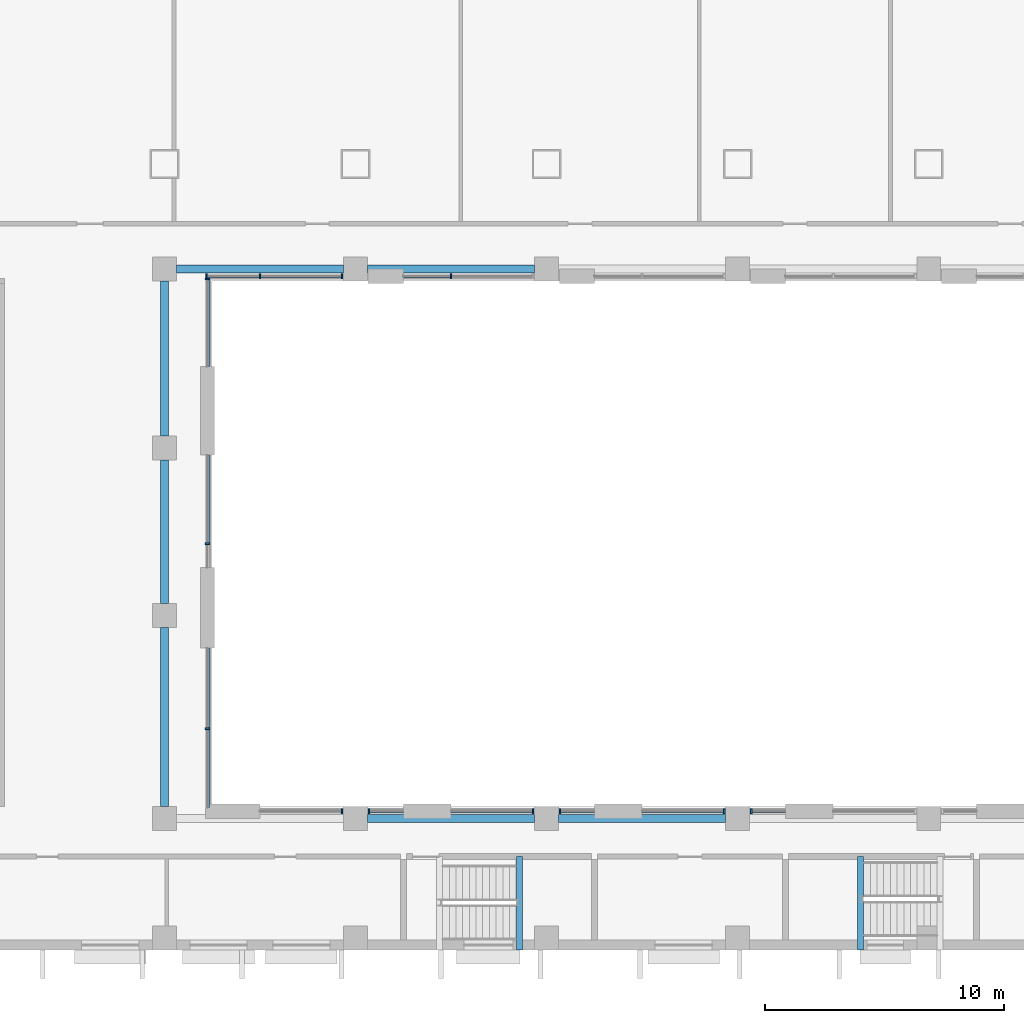
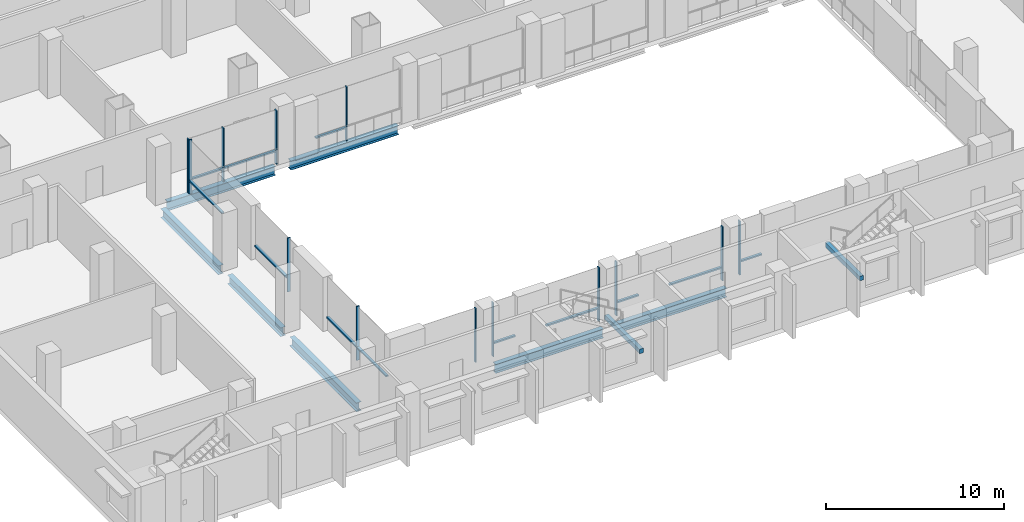
# One storey, part 2 of 25: 25 members, 9 beams, 11 elements without a shape of their own.
"""IFC4 building model written with IfcOpenShell, lengths in metres."""

from ifc_helpers import new_model, si_unit, direction, frame, origin, origin_2d, place, context, subcontext, project, spatial, rectangle, i_section, extrude, material, material_profile, profile_set, type_object, element, aggregate, save


model = new_model("IFC4")

# Units and contexts
model_context = context("Model", 3, precision=1e-05, world=origin(), true_north=direction((0.0, 1.0)))
body_context = subcontext(model_context, "Body", "Model", "MODEL_VIEW")
ifc_project = project(units=[si_unit("LENGTHUNIT", "METRE"), si_unit("AREAUNIT", "SQUARE_METRE"), si_unit("VOLUMEUNIT", "CUBIC_METRE"), si_unit("PLANEANGLEUNIT", "RADIAN"), si_unit("MASSUNIT", "GRAM", prefix="KILO")], contexts=[model_context])

# Site, building, storey
site_placement = place(None, origin())
site = spatial("IfcSite", under=ifc_project, at=site_placement, CompositionType="ELEMENT")
building_placement = place(site_placement, origin())
building = spatial("IfcBuilding", under=site, at=building_placement, Name="Vidyagriha Tower", CompositionType="ELEMENT")
storey_placement = place(building_placement, frame((0.0, 0.0, 10.0)))
storey = spatial("IfcBuildingStorey", under=building, at=storey_placement, Name="L02", CompositionType="ELEMENT", Elevation=10.0)

# Beams
ifc_material_1 = material(Name="Steel ASTM A992 Grade 50", Category="steel")
ifc_material_profile_1 = material_profile(ifc_material_1, i_section(OverallWidth=0.32373046875, OverallDepth=0.612060546875, WebThickness=0.0126953125, FlangeThickness=0.01904296875, at=origin_2d()), Name="W24X104")
ifc_profile_set_1 = profile_set([ifc_material_profile_1], Name="Steel ASTM A992 Grade 50")
beam_type_1 = type_object("IfcBeamType", Name="Atrium edge beam W24X104", PredefinedType="BEAM", material=ifc_profile_set_1)
for number, where, z_axis, x_axis, name in (
    (1, (-13.5, -44.5, -0.60595703125), (1.0, 0.0, 0.0), (0.0, 1.0, 0.0), "st-beam-L02-AT02"),
    (2, (-5.5, -44.5, -0.60595703125), (1.0, 0.0, 0.0), (0.0, 1.0, 0.0), "st-beam-L02-AT03"),
    (3, (-21.5, -21.5, -0.60595703125), (1.0, 0.0, 0.0), (0.0, 1.0, 0.0), "st-beam-L02-AT07"),
    (4, (-13.5, -21.5, -0.60595703125), (1.0, 0.0, 0.0), (0.0, 1.0, 0.0), "st-beam-L02-AT08"),
):
    element("IfcBeam", number, at=place(storey_placement, frame(where, z_axis=z_axis, x_axis=x_axis)), inside=storey, type_object=beam_type_1, Name=name, PredefinedType="BEAM", context=body_context, shape_type="SweptSolid", body=[
        extrude(i_section(OverallWidth=0.32373046875, OverallDepth=0.612060546875, WebThickness=0.0126953125, FlangeThickness=0.01904296875, at=origin_2d()), origin(), (0.0, 0.0, 1.0), 7.0),
    ])
beam_1_placement = place(storey_placement, frame((-22.0, -44.0, -0.60595703125), z_axis=(0.0, 1.0, 0.0), x_axis=(-1.0, 0.0, 0.0)))
element("IfcBeam", 5, at=beam_1_placement, inside=storey, type_object=beam_type_1, Name="st-beam-L02-AT13", PredefinedType="BEAM", context=body_context, shape_type="SweptSolid", body=[
    extrude(i_section(OverallWidth=0.32373046875, OverallDepth=0.612060546875, WebThickness=0.0126953125, FlangeThickness=0.01904296875, at=origin_2d()), origin(), (0.0, 0.0, 1.0), 7.5),
])
beam_2_placement = place(storey_placement, frame((-22.0, -35.5, -0.60595703125), z_axis=(0.0, 1.0, 0.0), x_axis=(-1.0, 0.0, 0.0)))
element("IfcBeam", 6, at=beam_2_placement, inside=storey, type_object=beam_type_1, Name="st-beam-L02-AT14", PredefinedType="BEAM", context=body_context, shape_type="SweptSolid", body=[
    extrude(i_section(OverallWidth=0.32373046875, OverallDepth=0.612060546875, WebThickness=0.0126953125, FlangeThickness=0.01904296875, at=origin_2d()), origin(), (0.0, 0.0, 1.0), 6.0),
])
beam_3_placement = place(storey_placement, frame((-22.0, -28.5, -0.60595703125), z_axis=(0.0, 1.0, 0.0), x_axis=(-1.0, 0.0, 0.0)))
element("IfcBeam", 7, at=beam_3_placement, inside=storey, type_object=beam_type_1, Name="st-beam-L02-AT15", PredefinedType="BEAM", context=body_context, shape_type="SweptSolid", body=[
    extrude(i_section(OverallWidth=0.32373046875, OverallDepth=0.612060546875, WebThickness=0.0126953125, FlangeThickness=0.01904296875, at=origin_2d()), origin(), (0.0, 0.0, 1.0), 6.5),
])

# Curtain wall, member
ifc_material_2 = material(Name="Aluminium and glass curtain wall", Category="aluminium")
curtain_wall_type = type_object("IfcCurtainWallType", Name="Atrium screen curtain wall", PredefinedType="USERDEFINED", material=ifc_material_2)
curtain_wall_1_placement = place(storey_placement, origin())
curtain_wall_1 = element("IfcCurtainWall", 8, at=curtain_wall_1_placement, inside=storey, type_object=curtain_wall_type, Name="CW6 atrium screen", ObjectType="UNITISED", PredefinedType="USERDEFINED")
ifc_material_3 = material(Name="Aluminium black anodised", Category="aluminium")
ifc_material_profile_2 = material_profile(ifc_material_3, rectangle(XDim=0.199951171875, YDim=0.070068359375, at=origin_2d()), Name="Mullion 70x200 black aluminium")
ifc_profile_set_2 = profile_set([ifc_material_profile_2], Name="Aluminium black anodised")
member_type_1 = type_object("IfcMemberType", Name="Mullion 70x200 black aluminium", PredefinedType="MULLION", material=ifc_profile_set_2)
member_1_placement = place(storey_placement, frame((2.56494140625, -44.199951171875, 0.0), z_axis=(0.0, 0.0, 1.0), x_axis=(0.0, -1.0, 0.0)))
member_1 = element("IfcMember", 9, at=member_1_placement, type_object=member_type_1, Name="CW6 mullion 2", PredefinedType="MULLION", context=body_context, shape_type="SweptSolid", body=[
    extrude(rectangle(XDim=0.199951171875, YDim=0.070068359375, at=origin_2d()), origin(), (0.0, 0.0, 1.0), 3.699951171875),
])

curtain_wall_2_placement = place(storey_placement, origin())
curtain_wall_2 = element("IfcCurtainWall", 10, at=curtain_wall_2_placement, inside=storey, type_object=curtain_wall_type, Name="CW6 atrium screen", ObjectType="UNITISED", PredefinedType="USERDEFINED")
member_2_placement = place(storey_placement, frame((1.43505859375, -44.199951171875, 0.0), z_axis=(0.0, 0.0, 1.0), x_axis=(0.0, -1.0, 0.0)))
member_2 = element("IfcMember", 11, at=member_2_placement, type_object=member_type_1, Name="CW6 mullion 1", PredefinedType="MULLION", context=body_context, shape_type="SweptSolid", body=[
    extrude(rectangle(XDim=0.199951171875, YDim=0.070068359375, at=origin_2d()), origin(), (0.0, 0.0, 1.0), 3.699951171875),
])

curtain_wall_3_placement = place(storey_placement, origin())
curtain_wall_3 = element("IfcCurtainWall", 12, at=curtain_wall_3_placement, inside=storey, type_object=curtain_wall_type, Name="CW6 atrium screen", ObjectType="UNITISED", PredefinedType="USERDEFINED")
member_3_placement = place(storey_placement, frame((-5.43505859375, -44.199951171875, 0.0), z_axis=(0.0, 0.0, 1.0), x_axis=(0.0, -1.0, 0.0)))
member_3 = element("IfcMember", 13, at=member_3_placement, type_object=member_type_1, Name="CW6 mullion 2", PredefinedType="MULLION", context=body_context, shape_type="SweptSolid", body=[
    extrude(rectangle(XDim=0.199951171875, YDim=0.070068359375, at=origin_2d()), origin(), (0.0, 0.0, 1.0), 3.699951171875),
])

curtain_wall_4_placement = place(storey_placement, origin())
curtain_wall_4 = element("IfcCurtainWall", 14, at=curtain_wall_4_placement, inside=storey, type_object=curtain_wall_type, Name="CW6 atrium screen", ObjectType="UNITISED", PredefinedType="USERDEFINED")
member_4_placement = place(storey_placement, frame((-6.56494140625, -44.199951171875, 0.0), z_axis=(0.0, 0.0, 1.0), x_axis=(0.0, -1.0, 0.0)))
member_4 = element("IfcMember", 15, at=member_4_placement, type_object=member_type_1, Name="CW6 mullion 1", PredefinedType="MULLION", context=body_context, shape_type="SweptSolid", body=[
    extrude(rectangle(XDim=0.199951171875, YDim=0.070068359375, at=origin_2d()), origin(), (0.0, 0.0, 1.0), 3.699951171875),
])

curtain_wall_5_placement = place(storey_placement, origin())
curtain_wall_5 = element("IfcCurtainWall", 16, at=curtain_wall_5_placement, inside=storey, type_object=curtain_wall_type, Name="CW6 atrium screen", ObjectType="UNITISED", PredefinedType="USERDEFINED")
member_5_placement = place(storey_placement, frame((-13.43505859375, -44.199951171875, 0.0), z_axis=(0.0, 0.0, 1.0), x_axis=(0.0, -1.0, 0.0)))
member_5 = element("IfcMember", 17, at=member_5_placement, type_object=member_type_1, Name="CW6 mullion 2", PredefinedType="MULLION", context=body_context, shape_type="SweptSolid", body=[
    extrude(rectangle(XDim=0.199951171875, YDim=0.070068359375, at=origin_2d()), origin(), (0.0, 0.0, 1.0), 3.699951171875),
])

curtain_wall_6_placement = place(storey_placement, origin())
curtain_wall_6 = element("IfcCurtainWall", 18, at=curtain_wall_6_placement, inside=storey, type_object=curtain_wall_type, Name="CW6 atrium screen", ObjectType="UNITISED", PredefinedType="USERDEFINED")
member_6_placement = place(storey_placement, frame((-14.56494140625, -44.199951171875, 0.0), z_axis=(0.0, 0.0, 1.0), x_axis=(0.0, -1.0, 0.0)))
member_6 = element("IfcMember", 19, at=member_6_placement, type_object=member_type_1, Name="CW6 mullion 1", PredefinedType="MULLION", context=body_context, shape_type="SweptSolid", body=[
    extrude(rectangle(XDim=0.199951171875, YDim=0.070068359375, at=origin_2d()), origin(), (0.0, 0.0, 1.0), 3.699951171875),
])
aggregate(curtain_wall_6, [member_6])

curtain_wall_7_placement = place(storey_placement, origin())
curtain_wall_7 = element("IfcCurtainWall", 20, at=curtain_wall_7_placement, inside=storey, type_object=curtain_wall_type, Name="CW6 atrium screen", ObjectType="UNITISED", PredefinedType="USERDEFINED")
member_7_placement = place(storey_placement, frame((-20.199951171875, -40.74658203125, 0.0), z_axis=(0.0, 0.0, 1.0), x_axis=(-1.0, 0.0, 0.0)))
member_7 = element("IfcMember", 21, at=member_7_placement, type_object=member_type_1, Name="CW6 mullion 2", PredefinedType="MULLION", context=body_context, shape_type="SweptSolid", body=[
    extrude(rectangle(XDim=0.199951171875, YDim=0.070068359375, at=origin_2d()), origin(), (0.0, 0.0, 1.0), 3.699951171875),
])

curtain_wall_8_placement = place(storey_placement, origin())
curtain_wall_8 = element("IfcCurtainWall", 22, at=curtain_wall_8_placement, inside=storey, type_object=curtain_wall_type, Name="CW6 atrium screen", ObjectType="UNITISED", PredefinedType="USERDEFINED")
member_8_placement = place(storey_placement, frame((-20.199951171875, -33.0, 0.0), z_axis=(0.0, 0.0, 1.0), x_axis=(-1.0, 0.0, 0.0)))
member_8 = element("IfcMember", 23, at=member_8_placement, type_object=member_type_1, Name="CW6 mullion 2", PredefinedType="MULLION", context=body_context, shape_type="SweptSolid", body=[
    extrude(rectangle(XDim=0.199951171875, YDim=0.070068359375, at=origin_2d()), origin(), (0.0, 0.0, 1.0), 3.699951171875),
])

curtain_wall_9_placement = place(storey_placement, origin())
curtain_wall_9 = element("IfcCurtainWall", 24, at=curtain_wall_9_placement, inside=storey, type_object=curtain_wall_type, Name="CW6 atrium screen", ObjectType="UNITISED", PredefinedType="USERDEFINED")
member_9_placement = place(storey_placement, frame((-20.199951171875, -21.9150390625, 0.0), z_axis=(0.0, 0.0, 1.0), x_axis=(-1.0, 0.0, 0.0)))
member_9 = element("IfcMember", 25, at=member_9_placement, type_object=member_type_1, Name="CW6 mullion 2", PredefinedType="MULLION", context=body_context, shape_type="SweptSolid", body=[
    extrude(rectangle(XDim=0.199951171875, YDim=0.070068359375, at=origin_2d()), origin(), (0.0, 0.0, 1.0), 3.699951171875),
])

# Curtain wall, members
curtain_wall_10_placement = place(storey_placement, origin())
curtain_wall_10 = element("IfcCurtainWall", 26, at=curtain_wall_10_placement, inside=storey, type_object=curtain_wall_type, Name="CW6 atrium screen", ObjectType="UNITISED", PredefinedType="USERDEFINED")
member_10_placement = place(storey_placement, frame((-20.2451171875, -21.800048828125, 0.0), z_axis=(0.0, 0.0, 1.0), x_axis=(0.0, 1.0, 0.0)))
member_10 = element("IfcMember", 27, at=member_10_placement, type_object=member_type_1, Name="CW6 mullion 1", PredefinedType="MULLION", context=body_context, shape_type="SweptSolid", body=[
    extrude(rectangle(XDim=0.199951171875, YDim=0.070068359375, at=origin_2d()), origin(), (0.0, 0.0, 1.0), 3.699951171875),
])
member_11_placement = place(storey_placement, frame((-18.0, -21.800048828125, 0.0), z_axis=(0.0, 0.0, 1.0), x_axis=(0.0, 1.0, 0.0)))
member_11 = element("IfcMember", 28, at=member_11_placement, type_object=member_type_1, Name="CW6 mullion 2", PredefinedType="MULLION", context=body_context, shape_type="SweptSolid", body=[
    extrude(rectangle(XDim=0.199951171875, YDim=0.070068359375, at=origin_2d()), origin(), (0.0, 0.0, 1.0), 3.699951171875),
])
member_12_placement = place(storey_placement, frame((-14.56494140625, -21.800048828125, 0.0), z_axis=(0.0, 0.0, 1.0), x_axis=(0.0, 1.0, 0.0)))
member_12 = element("IfcMember", 29, at=member_12_placement, type_object=member_type_1, Name="CW6 mullion 3", PredefinedType="MULLION", context=body_context, shape_type="SweptSolid", body=[
    extrude(rectangle(XDim=0.199951171875, YDim=0.070068359375, at=origin_2d()), origin(), (0.0, 0.0, 1.0), 3.699951171875),
])

# Curtain wall, member
curtain_wall_11_placement = place(storey_placement, origin())
curtain_wall_11 = element("IfcCurtainWall", 30, at=curtain_wall_11_placement, inside=storey, type_object=curtain_wall_type, Name="CW6 atrium screen", ObjectType="UNITISED", PredefinedType="USERDEFINED")
member_13_placement = place(storey_placement, frame((-10.0, -21.800048828125, 0.0), z_axis=(0.0, 0.0, 1.0), x_axis=(0.0, 1.0, 0.0)))
member_13 = element("IfcMember", 31, at=member_13_placement, type_object=member_type_1, Name="CW6 mullion 2", PredefinedType="MULLION", context=body_context, shape_type="SweptSolid", body=[
    extrude(rectangle(XDim=0.199951171875, YDim=0.070068359375, at=origin_2d()), origin(), (0.0, 0.0, 1.0), 3.699951171875),
])

# Beams
ifc_material_4 = material(Name="Concrete C40/50", Category="concrete")
ifc_material_profile_3 = material_profile(ifc_material_4, rectangle(XDim=0.25, YDim=0.300048828125, at=origin_2d()), Name="Stair landing bearing beam 250x300")
ifc_profile_set_3 = profile_set([ifc_material_profile_3], Name="Concrete C40/50")
beam_type_2 = type_object("IfcBeamType", Name="Stair landing bearing beam 250x300", PredefinedType="BEAM", material=ifc_profile_set_3)
for number, where, z_axis, x_axis, name in (
    (32, (-7.139892578125, -50.0, 1.64990234375), (0.0, 1.0, 0.0), (-1.0, 0.0, 0.0), "PS3 landing bearing beam L02"),
    (33, (7.139892578125, -50.0, 1.64990234375), (0.0, 1.0, 0.0), (-1.0, 0.0, 0.0), "PS4 landing bearing beam L02"),
):
    element("IfcBeam", number, at=place(storey_placement, frame(where, z_axis=z_axis, x_axis=x_axis)), inside=storey, type_object=beam_type_2, Name=name, PredefinedType="BEAM", context=body_context, shape_type="SweptSolid", body=[
        extrude(rectangle(XDim=0.25, YDim=0.300048828125, at=origin_2d()), origin(), (0.0, 0.0, 1.0), 3.89990234375),
    ])

# Member
ifc_material_5 = material(Name="Aluminium black anodised", Category="aluminium")
ifc_material_profile_4 = material_profile(ifc_material_5, rectangle(XDim=0.159912109375, YDim=0.10009765625, at=origin_2d()), Name="Transom 100x160 black aluminium")
ifc_profile_set_4 = profile_set([ifc_material_profile_4], Name="Aluminium black anodised")
member_type_2 = type_object("IfcMemberType", Name="Transom 100x160 black aluminium", PredefinedType="USERDEFINED", material=ifc_profile_set_4)
member_14_placement = place(storey_placement, frame((4.0, -44.199951171875, 0.89990234375), z_axis=(-1.0, 0.0, 0.0), x_axis=(0.0, -1.0, 0.0)))
member_14 = element("IfcMember", 34, at=member_14_placement, type_object=member_type_2, Name="CW6 transom 1.1", ObjectType="TRANSOM", PredefinedType="USERDEFINED", context=body_context, shape_type="SweptSolid", body=[
    extrude(rectangle(XDim=0.159912109375, YDim=0.10009765625, at=origin_2d()), origin(), (0.0, 0.0, 1.0), 1.39990234375),
])

aggregate(curtain_wall_1, [member_1, member_14])

member_15_placement = place(storey_placement, frame((1.39990234375, -44.199951171875, 0.89990234375), z_axis=(-1.0, 0.0, 0.0), x_axis=(0.0, -1.0, 0.0)))
member_15 = element("IfcMember", 35, at=member_15_placement, type_object=member_type_2, Name="CW6 transom 1.1", ObjectType="TRANSOM", PredefinedType="USERDEFINED", context=body_context, shape_type="SweptSolid", body=[
    extrude(rectangle(XDim=0.159912109375, YDim=0.10009765625, at=origin_2d()), origin(), (0.0, 0.0, 1.0), 3.39990234375),
])

aggregate(curtain_wall_2, [member_2, member_15])

member_16_placement = place(storey_placement, frame((-4.0, -44.199951171875, 0.89990234375), z_axis=(-1.0, 0.0, 0.0), x_axis=(0.0, -1.0, 0.0)))
member_16 = element("IfcMember", 36, at=member_16_placement, type_object=member_type_2, Name="CW6 transom 1.1", ObjectType="TRANSOM", PredefinedType="USERDEFINED", context=body_context, shape_type="SweptSolid", body=[
    extrude(rectangle(XDim=0.159912109375, YDim=0.10009765625, at=origin_2d()), origin(), (0.0, 0.0, 1.0), 1.39990234375),
])

aggregate(curtain_wall_3, [member_3, member_16])

member_17_placement = place(storey_placement, frame((-6.60009765625, -44.199951171875, 0.89990234375), z_axis=(-1.0, 0.0, 0.0), x_axis=(0.0, -1.0, 0.0)))
member_17 = element("IfcMember", 37, at=member_17_placement, type_object=member_type_2, Name="CW6 transom 1.1", ObjectType="TRANSOM", PredefinedType="USERDEFINED", context=body_context, shape_type="SweptSolid", body=[
    extrude(rectangle(XDim=0.159912109375, YDim=0.10009765625, at=origin_2d()), origin(), (0.0, 0.0, 1.0), 3.39990234375),
])

aggregate(curtain_wall_4, [member_4, member_17])

member_18_placement = place(storey_placement, frame((-12.0, -44.199951171875, 0.89990234375), z_axis=(-1.0, 0.0, 0.0), x_axis=(0.0, -1.0, 0.0)))
member_18 = element("IfcMember", 38, at=member_18_placement, type_object=member_type_2, Name="CW6 transom 1.1", ObjectType="TRANSOM", PredefinedType="USERDEFINED", context=body_context, shape_type="SweptSolid", body=[
    extrude(rectangle(XDim=0.159912109375, YDim=0.10009765625, at=origin_2d()), origin(), (0.0, 0.0, 1.0), 1.39990234375),
])

aggregate(curtain_wall_5, [member_5, member_18])

member_19_placement = place(storey_placement, frame((-20.199951171875, -44.050048828125, 0.89990234375), z_axis=(0.0, 1.0, 0.0), x_axis=(-1.0, 0.0, 0.0)))
member_19 = element("IfcMember", 39, at=member_19_placement, type_object=member_type_2, Name="CW6 transom 1.1", ObjectType="TRANSOM", PredefinedType="USERDEFINED", context=body_context, shape_type="SweptSolid", body=[
    extrude(rectangle(XDim=0.159912109375, YDim=0.10009765625, at=origin_2d()), origin(), (0.0, 0.0, 1.0), 3.268310546875),
])

member_20_placement = place(storey_placement, frame((-20.199951171875, -40.711669921875, 0.89990234375), z_axis=(0.0, 1.0, 0.0), x_axis=(-1.0, 0.0, 0.0)))
member_20 = element("IfcMember", 40, at=member_20_placement, type_object=member_type_2, Name="CW6 transom 2.1", ObjectType="TRANSOM", PredefinedType="USERDEFINED", context=body_context, shape_type="SweptSolid", body=[
    extrude(rectangle(XDim=0.159912109375, YDim=0.10009765625, at=origin_2d()), origin(), (0.0, 0.0, 1.0), 3.33837890625),
])

aggregate(curtain_wall_7, [member_7, member_19, member_20])

member_21_placement = place(storey_placement, frame((-20.199951171875, -32.965087890625, 0.89990234375), z_axis=(0.0, 1.0, 0.0), x_axis=(-1.0, 0.0, 0.0)))
member_21 = element("IfcMember", 41, at=member_21_placement, type_object=member_type_2, Name="CW6 transom 2.1", ObjectType="TRANSOM", PredefinedType="USERDEFINED", context=body_context, shape_type="SweptSolid", body=[
    extrude(rectangle(XDim=0.159912109375, YDim=0.10009765625, at=origin_2d()), origin(), (0.0, 0.0, 1.0), 3.671875),
])

aggregate(curtain_wall_8, [member_8, member_21])

member_22_placement = place(storey_placement, frame((-20.199951171875, -25.586669921875, 0.89990234375), z_axis=(0.0, 1.0, 0.0), x_axis=(-1.0, 0.0, 0.0)))
member_22 = element("IfcMember", 42, at=member_22_placement, type_object=member_type_2, Name="CW6 transom 1.1", ObjectType="TRANSOM", PredefinedType="USERDEFINED", context=body_context, shape_type="SweptSolid", body=[
    extrude(rectangle(XDim=0.159912109375, YDim=0.10009765625, at=origin_2d()), origin(), (0.0, 0.0, 1.0), 3.63671875),
])

aggregate(curtain_wall_9, [member_9, member_22])

member_23_placement = place(storey_placement, frame((-20.2099609375, -21.800048828125, 0.89990234375), z_axis=(1.0, 0.0, 0.0), x_axis=(0.0, 1.0, 0.0)))
member_23 = element("IfcMember", 43, at=member_23_placement, type_object=member_type_2, Name="CW6 transom 1.1", ObjectType="TRANSOM", PredefinedType="USERDEFINED", context=body_context, shape_type="SweptSolid", body=[
    extrude(rectangle(XDim=0.159912109375, YDim=0.10009765625, at=origin_2d()), origin(), (0.0, 0.0, 1.0), 2.175048828125),
])

member_24_placement = place(storey_placement, frame((-17.965087890625, -21.800048828125, 0.89990234375), z_axis=(1.0, 0.0, 0.0), x_axis=(0.0, 1.0, 0.0)))
member_24 = element("IfcMember", 44, at=member_24_placement, type_object=member_type_2, Name="CW6 transom 2.1", ObjectType="TRANSOM", PredefinedType="USERDEFINED", context=body_context, shape_type="SweptSolid", body=[
    extrude(rectangle(XDim=0.159912109375, YDim=0.10009765625, at=origin_2d()), origin(), (0.0, 0.0, 1.0), 3.364990234375),
])

aggregate(curtain_wall_10, [member_10, member_11, member_12, member_23, member_24])

member_25_placement = place(storey_placement, frame((-12.0, -21.800048828125, 0.89990234375), z_axis=(1.0, 0.0, 0.0), x_axis=(0.0, 1.0, 0.0)))
member_25 = element("IfcMember", 45, at=member_25_placement, type_object=member_type_2, Name="CW6 transom 1.1", ObjectType="TRANSOM", PredefinedType="USERDEFINED", context=body_context, shape_type="SweptSolid", body=[
    extrude(rectangle(XDim=0.159912109375, YDim=0.10009765625, at=origin_2d()), origin(), (0.0, 0.0, 1.0), 1.965087890625),
])

aggregate(curtain_wall_11, [member_13, member_25])

save(model, "model.ifc")
